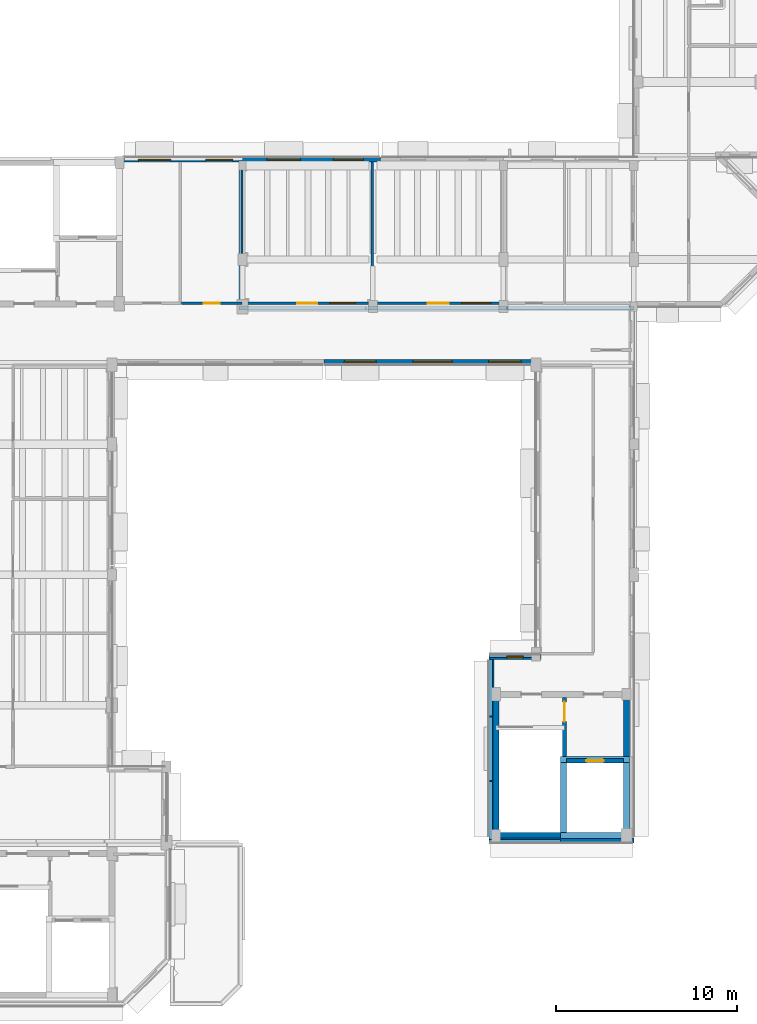
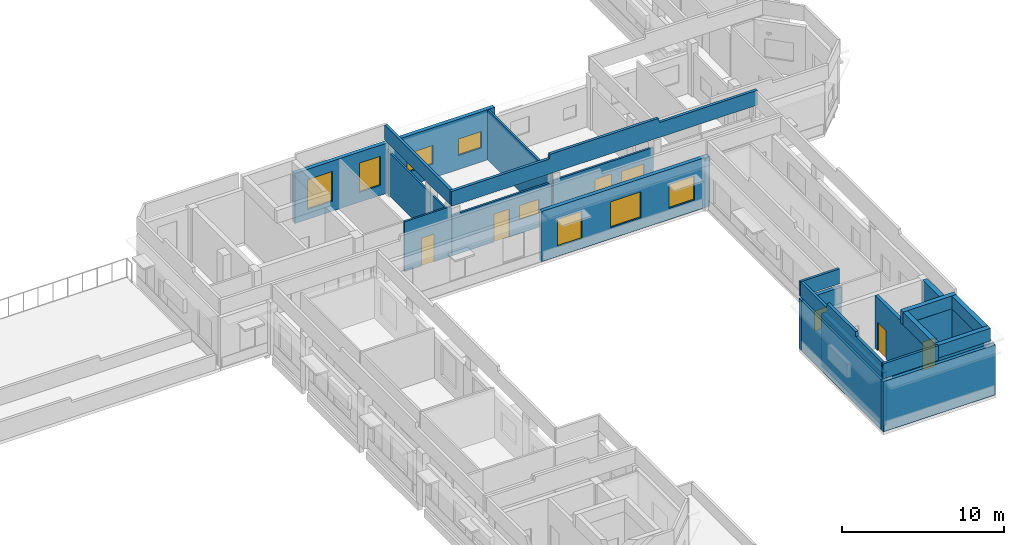
# One storey, part 9 of 17: 24 walls, 10 windows, 5 doors, 15 openings.
"""IFC4 building model written with IfcOpenShell, lengths in metres."""

from ifc_helpers import new_model, si_unit, direction, frame, frame_2d, origin, place, context, subcontext, project, spatial, polyline, rectangle, outline, extrude, material, layer, layer_set, type_object, element, fill, save


model = new_model("IFC4")

# Units and contexts
model_context = context("Model", 3, precision=1e-05, world=origin(), true_north=direction((0.0, 1.0)))
body_context = subcontext(model_context, "Body", "Model", "MODEL_VIEW")
ifc_project = project(units=[si_unit("LENGTHUNIT", "METRE"), si_unit("AREAUNIT", "SQUARE_METRE"), si_unit("VOLUMEUNIT", "CUBIC_METRE"), si_unit("PLANEANGLEUNIT", "RADIAN"), si_unit("MASSUNIT", "GRAM", prefix="KILO")], contexts=[model_context])

# Site, building, storey
site_placement = place(None, origin())
site = spatial("IfcSite", under=ifc_project, at=site_placement, CompositionType="ELEMENT")
building_placement = place(site_placement, origin())
building = spatial("IfcBuilding", under=site, at=building_placement, Name="Kelanivale Promenade Academy", CompositionType="ELEMENT")
storey_placement = place(building_placement, frame((0.0, 0.0, 20.199951171875)))
storey = spatial("IfcBuildingStorey", under=building, at=storey_placement, Name="L05", CompositionType="ELEMENT", Elevation=20.199951171875)

# Walls
ifc_material_1 = material(Name="Concrete C40/50", Category="concrete")
ifc_layer_1 = layer(ifc_material_1, 0.330078125)
ifc_layer_set_1 = layer_set([ifc_layer_1], Name="Concrete C40/50")
wall_type_1 = type_object("IfcWallType", Name="CW-S1 Wall 330mm", PredefinedType="SHEAR", material=ifc_layer_set_1)
wall_1_placement = place(storey_placement, frame((107.8349609375, 42.39990234375, 0.0), z_axis=(0.0, 0.0, 1.0), x_axis=(1.0, 0.0, 0.0)))
element("IfcWall", 1, at=wall_1_placement, inside=storey, type_object=wall_type_1, Name="CORE-3 RC shear wall S L05", PredefinedType="SHEAR", context=body_context, shape_type="SweptSolid", body=[
    extrude(rectangle(XDim=7.530029296875, YDim=0.330078125, at=frame_2d((3.76513671875, 0.0))), origin(), (0.0, 0.0, 1.0), 4.0),
])
for number, where, z_axis, x_axis, name in (
    (2, (108.0, 42.56494140625, 0.0), (0.0, 0.0, 1.0), (0.0, 1.0, 0.0), "CORE-3 RC shear wall W L05"),
    (3, (115.199951171875, 42.56494140625, 0.0), (0.0, 0.0, 1.0), (0.0, 1.0, 0.0), "CORE-3 RC shear wall E L05"),
):
    element("IfcWall", number, at=place(storey_placement, frame(where, z_axis=z_axis, x_axis=x_axis)), inside=storey, type_object=wall_type_1, Name=name, PredefinedType="SHEAR", context=body_context, shape_type="SweptSolid", body=[
        extrude(rectangle(XDim=7.469970703125, YDim=0.330078125, at=frame_2d((3.73486328125, 0.0))), origin(), (0.0, 0.0, 1.0), 4.0),
    ])
for number, where, z_axis, x_axis, name in (
    (4, (111.554931640625, 42.39990234375, 4.0), (0.0, 0.0, 1.0), (1.0, 0.0, 0.0), "CORE-3 lift overrun shaft wall S"),
    (5, (111.554931640625, 46.590087890625, 4.0), (0.0, 0.0, 1.0), (1.0, 0.0, 0.0), "CORE-3 lift overrun shaft wall N"),
):
    element("IfcWall", number, at=place(storey_placement, frame(where, z_axis=z_axis, x_axis=x_axis)), inside=storey, type_object=wall_type_1, Name=name, PredefinedType="SHEAR", context=body_context, shape_type="SweptSolid", body=[
        extrude(rectangle(XDim=3.81005859375, YDim=0.330078125, at=frame_2d((1.905029296875, 0.0))), origin(), (0.0, 0.0, 1.0), 0.9599609375),
    ])
for number, where, z_axis, x_axis, name in (
    (6, (111.719970703125, 42.56494140625, 4.0), (0.0, 0.0, 1.0), (0.0, 1.0, 0.0), "CORE-3 lift overrun shaft wall W"),
    (7, (115.199951171875, 42.56494140625, 4.0), (0.0, 0.0, 1.0), (0.0, 1.0, 0.0), "CORE-3 lift overrun shaft wall E"),
):
    element("IfcWall", number, at=place(storey_placement, frame(where, z_axis=z_axis, x_axis=x_axis)), inside=storey, type_object=wall_type_1, Name=name, PredefinedType="SHEAR", context=body_context, shape_type="SweptSolid", body=[
        extrude(rectangle(XDim=3.860107421875, YDim=0.330078125, at=frame_2d((1.93017578125, 0.0))), origin(), (0.0, 0.0, 1.0), 0.9599609375),
    ])

# Wall, opening, door
ifc_layer_2 = layer(ifc_material_1, 0.22509765625)
ifc_layer_set_2 = layer_set([ifc_layer_2], Name="Concrete C40/50")
wall_type_2 = type_object("IfcWallType", Name="CW-S2 Wall 225mm", PredefinedType="SHEAR", material=ifc_layer_set_2)
wall_2_placement = place(storey_placement, frame((111.885009765625, 46.530029296875, 0.0), z_axis=(0.0, 0.0, 1.0), x_axis=(1.0, 0.0, 0.0)))
wall_2 = element("IfcWall", 8, at=wall_2_placement, inside=storey, type_object=wall_type_2, Name="CORE-3 lift shaft front RC wall L05", PredefinedType="SHEAR", context=body_context, shape_type="SweptSolid", body=[
    extrude(rectangle(XDim=3.14990234375, YDim=0.22509765625, at=frame_2d((1.574951171875, 0.0))), origin(), (0.0, 0.0, 1.0), 4.0),
])
opening_1_placement = place(wall_2_placement, frame((1.10009765625, 0.0, 0.0)))
opening_1 = element("IfcOpeningElement", 9, at=opening_1_placement, cuts=wall_2, Name="Opening LD-LF-FF3-L05", PredefinedType="OPENING", context=body_context, shape_type="SweptSolid", body=[
    extrude(rectangle(XDim=0.949951171875, YDim=2.14990234375, at=frame_2d((0.47509765625, 1.074951171875))), frame((0.0, 0.12255859375, 0.0), z_axis=(0.0, -1.0, 0.0), x_axis=(1.0, 0.0, 0.0)), (0.0, 0.0, 1.0), 0.2451171875),
])
ifc_material_2 = material(Name="Fire-rated steel-core teak veneer", Category="steel")
door_type_1 = type_object("IfcDoorType", Name="LD-FF1 Door 950x2150", OperationType="NOTDEFINED", PredefinedType="DOOR", material=ifc_material_2)
door_1_placement = place(opening_1_placement, origin())
door_1 = element("IfcDoor", 10, at=door_1_placement, inside=storey, type_object=door_type_1, Name="Firefighting lift landing door LD-LF-FF3-L05", OperationType="SLIDING_TO_LEFT", OverallHeight=2.14990234375, OverallWidth=0.949951171875, PredefinedType="DOOR", context=body_context, shape_type="SweptSolid", body=[
    extrude(rectangle(XDim=0.949951171875, YDim=2.14990234375, at=frame_2d((0.47509765625, 1.074951171875))), frame((0.0, 0.02490234375, 0.0), z_axis=(0.0, -1.0, 0.0), x_axis=(1.0, 0.0, 0.0)), (0.0, 0.0, 1.0), 0.050048828125),
])
fill(opening_1, door_1)

ifc_layer_3 = layer(ifc_material_1, 0.219970703125)
ifc_layer_set_3 = layer_set([ifc_layer_3], Name="Concrete C40/50")
wall_type_3 = type_object("IfcWallType", Name="CW-S3 Wall 220mm", PredefinedType="SHEAR", material=ifc_layer_set_3)
wall_3_placement = place(storey_placement, frame((111.77490234375, 42.56494140625, 0.0), z_axis=(0.0, 0.0, 1.0), x_axis=(0.0, 1.0, 0.0)))
wall_3 = element("IfcWall", 11, at=wall_3_placement, inside=storey, type_object=wall_type_3, Name="CORE-3 stair-lobby dividing RC wall L05", PredefinedType="SHEAR", context=body_context, shape_type="SweptSolid", body=[
    extrude(rectangle(XDim=7.469970703125, YDim=0.219970703125, at=frame_2d((3.73486328125, 0.0))), origin(), (0.0, 0.0, 1.0), 4.0),
])
opening_2_placement = place(wall_3_placement, frame((6.1201171875, 0.0, 0.0)))
opening_2 = element("IfcOpeningElement", 12, at=opening_2_placement, cuts=wall_3, Name="Opening FD-CORE-3-SL-L05", PredefinedType="OPENING", context=body_context, shape_type="SweptSolid", body=[
    extrude(rectangle(XDim=1.10009765625, YDim=2.14990234375, at=frame_2d((0.550048828125, 1.074951171875))), frame((0.0, 0.1201171875, 0.0), z_axis=(0.0, -1.0, 0.0), x_axis=(1.0, 0.0, 0.0)), (0.0, 0.0, 1.0), 0.239990234375),
])
door_type_2 = type_object("IfcDoorType", Name="DT-F01 Door 1100x2150", OperationType="NOTDEFINED", PredefinedType="DOOR", material=ifc_material_2)
door_2_placement = place(opening_2_placement, origin())
door_2 = element("IfcDoor", 13, at=door_2_placement, inside=storey, type_object=door_type_2, Name="CORE-3 lobby-to-stair fire door L05", OperationType="SINGLE_SWING_RIGHT", OverallHeight=2.14990234375, OverallWidth=1.10009765625, PredefinedType="DOOR", context=body_context, shape_type="SweptSolid", body=[
    extrude(rectangle(XDim=1.10009765625, YDim=2.14990234375, at=frame_2d((0.550048828125, 1.074951171875))), frame((0.0, 0.02490234375, 0.0), z_axis=(0.0, -1.0, 0.0), x_axis=(1.0, 0.0, 0.0)), (0.0, 0.0, 1.0), 0.050048828125),
])
fill(opening_2, door_2)

# Wall, openings, windows
ifc_material_3 = material(Name="Insulated ivory stucco masonry wall 280 mm", Category="masonry")
ifc_layer_4 = layer(ifc_material_3, 0.280029296875)
ifc_layer_set_4 = layer_set([ifc_layer_4], Name="Insulated ivory stucco masonry wall 280 mm")
wall_type_4 = type_object("IfcWallType", Name="EW-02 Wall 280mm", PredefinedType="SOLIDWALL", material=ifc_layer_set_4)
wall_4_placement = place(storey_placement, frame((98.5, 68.5400390625, 0.0), z_axis=(0.0, 0.0, 1.0), x_axis=(1.0, 0.0, 0.0)))
wall_4 = element("IfcWall", 14, at=wall_4_placement, inside=storey, type_object=wall_type_4, Name="L05 exterior facade wall EW-L05-ORT-0562", PredefinedType="SOLIDWALL", context=body_context, shape_type="SweptSolid", body=[
    extrude(rectangle(XDim=11.97998046875, YDim=0.280029296875, at=frame_2d((5.989990234375, 0.0))), origin(), (0.0, 0.0, 1.0), 3.780029296875),
])
opening_3_placement = place(wall_4_placement, frame((1.1220703125, 0.0, 0.75)))
opening_3 = element("IfcOpeningElement", 15, at=opening_3_placement, cuts=wall_4, Name="Opening WT-32", PredefinedType="OPENING", context=body_context, shape_type="SweptSolid", body=[
    extrude(rectangle(XDim=1.75, YDim=2.050048828125, at=frame_2d((0.875, 1.02490234375))), frame((0.0, 0.14990234375, 0.0), z_axis=(0.0, -1.0, 0.0), x_axis=(1.0, 0.0, 0.0)), (0.0, 0.0, 1.0), 0.300048828125),
])
opening_4_placement = place(wall_4_placement, frame((4.9150390625, 0.0, 0.85009765625)))
opening_4 = element("IfcOpeningElement", 16, at=opening_4_placement, cuts=wall_4, Name="Opening WT-33", PredefinedType="OPENING", context=body_context, shape_type="SweptSolid", body=[
    extrude(rectangle(XDim=2.14990234375, YDim=1.949951171875, at=frame_2d((1.074951171875, 0.97509765625))), frame((0.0, 0.14990234375, 0.0), z_axis=(0.0, -1.0, 0.0), x_axis=(1.0, 0.0, 0.0)), (0.0, 0.0, 1.0), 0.300048828125),
])
opening_5_placement = place(wall_4_placement, frame((9.0830078125, 0.0, 0.85009765625)))
opening_5 = element("IfcOpeningElement", 17, at=opening_5_placement, cuts=wall_4, Name="Opening WT-01", PredefinedType="OPENING", context=body_context, shape_type="SweptSolid", body=[
    extrude(rectangle(XDim=1.800048828125, YDim=1.800048828125, at=frame_2d((0.89990234375, 0.89990234375))), frame((0.0, 0.14990234375, 0.0), z_axis=(0.0, -1.0, 0.0), x_axis=(1.0, 0.0, 0.0)), (0.0, 0.0, 1.0), 0.300048828125),
])
ifc_material_4 = material(Name="Bronze anodised aluminium frame with low-E laminated glass", Category="aluminium")
window_type_1 = type_object("IfcWindowType", Name="WT-01 Window 1800x1800", PartitioningType="SINGLE_PANEL", PredefinedType="WINDOW", material=ifc_material_4)
window_1_placement = place(opening_5_placement, origin())
window_1 = element("IfcWindow", 18, at=window_1_placement, inside=storey, type_object=window_type_1, Name="Window WT-01", OverallHeight=1.800048828125, OverallWidth=1.800048828125, PartitioningType="SINGLE_PANEL", PredefinedType="WINDOW", context=body_context, shape_type="SweptSolid", body=[
    extrude(rectangle(XDim=1.800048828125, YDim=1.800048828125, at=frame_2d((0.89990234375, 0.89990234375))), frame((0.0, 0.030029296875, 0.0), z_axis=(0.0, -1.0, 0.0), x_axis=(1.0, 0.0, 0.0)), (0.0, 0.0, 1.0), 0.06005859375),
])
fill(opening_5, window_1)
window_type_2 = type_object("IfcWindowType", Name="WT-32 Window 1750x2050", PartitioningType="SINGLE_PANEL", PredefinedType="WINDOW", material=ifc_material_4)
window_2_placement = place(opening_3_placement, origin())
window_2 = element("IfcWindow", 19, at=window_2_placement, inside=storey, type_object=window_type_2, Name="Window WT-32", OverallHeight=2.050048828125, OverallWidth=1.75, PartitioningType="SINGLE_PANEL", PredefinedType="WINDOW", context=body_context, shape_type="SweptSolid", body=[
    extrude(rectangle(XDim=1.75, YDim=2.050048828125, at=frame_2d((0.875, 1.02490234375))), frame((0.0, 0.030029296875, 0.0), z_axis=(0.0, -1.0, 0.0), x_axis=(1.0, 0.0, 0.0)), (0.0, 0.0, 1.0), 0.06005859375),
])
fill(opening_3, window_2)
window_type_3 = type_object("IfcWindowType", Name="WT-33 Window 2150x1950", PartitioningType="SINGLE_PANEL", PredefinedType="WINDOW", material=ifc_material_4)
window_3_placement = place(opening_4_placement, origin())
window_3 = element("IfcWindow", 20, at=window_3_placement, inside=storey, type_object=window_type_3, Name="Window WT-33", OverallHeight=1.949951171875, OverallWidth=2.14990234375, PartitioningType="SINGLE_PANEL", PredefinedType="WINDOW", context=body_context, shape_type="SweptSolid", body=[
    extrude(rectangle(XDim=2.14990234375, YDim=1.949951171875, at=frame_2d((1.074951171875, 0.97509765625))), frame((0.0, 0.030029296875, 0.0), z_axis=(0.0, -1.0, 0.0), x_axis=(1.0, 0.0, 0.0)), (0.0, 0.0, 1.0), 0.06005859375),
])
fill(opening_4, window_3)

# Wall, opening, window
wall_5_placement = place(storey_placement, frame((110.47998046875, 52.260009765625, 0.0), z_axis=(0.0, 0.0, 1.0), x_axis=(-1.0, 0.0, 0.0)))
wall_5 = element("IfcWall", 21, at=wall_5_placement, inside=storey, type_object=wall_type_4, Name="L05 exterior facade wall EW-L05-ORT-0564", PredefinedType="SOLIDWALL", context=body_context, shape_type="SweptSolid", body=[
    extrude(rectangle(XDim=2.8798828125, YDim=0.280029296875, at=frame_2d((1.43994140625, 0.0))), origin(), (0.0, 0.0, 1.0), 3.780029296875),
])
opening_6_placement = place(wall_5_placement, frame((0.989990234375, 0.0, 1.050048828125)))
opening_6 = element("IfcOpeningElement", 22, at=opening_6_placement, cuts=wall_5, Name="Opening WT-06", PredefinedType="OPENING", context=body_context, shape_type="SweptSolid", body=[
    extrude(rectangle(XDim=0.89990234375, YDim=1.5, at=frame_2d((0.449951171875, 0.75))), frame((0.0, 0.14990234375, 0.0), z_axis=(0.0, -1.0, 0.0), x_axis=(1.0, 0.0, 0.0)), (0.0, 0.0, 1.0), 0.300048828125),
])
window_type_4 = type_object("IfcWindowType", Name="WT-06 Window 900x1500", PartitioningType="SINGLE_PANEL", PredefinedType="WINDOW", material=ifc_material_4)
window_4_placement = place(opening_6_placement, origin())
window_4 = element("IfcWindow", 23, at=window_4_placement, inside=storey, type_object=window_type_4, Name="Window WT-06", OverallHeight=1.5, OverallWidth=0.89990234375, PartitioningType="SINGLE_PANEL", PredefinedType="WINDOW", context=body_context, shape_type="SweptSolid", body=[
    extrude(rectangle(XDim=0.89990234375, YDim=1.5, at=frame_2d((0.449951171875, 0.75))), frame((0.0, 0.030029296875, 0.0), z_axis=(0.0, -1.0, 0.0), x_axis=(1.0, 0.0, 0.0)), (0.0, 0.0, 1.0), 0.06005859375),
])
fill(opening_6, window_4)

# Walls
wall_6_placement = place(storey_placement, frame((107.739990234375, 52.1201171875, 0.0), z_axis=(0.0, 0.0, 1.0), x_axis=(0.0, -1.0, 0.0)))
element("IfcWall", 24, at=wall_6_placement, inside=storey, type_object=wall_type_4, Name="L05 exterior facade wall EW-L05-ORT-0565", PredefinedType="SOLIDWALL", context=body_context, shape_type="SweptSolid", body=[
    extrude(rectangle(XDim=9.840087890625, YDim=0.280029296875, at=frame_2d((4.919921875, 0.0))), origin(), (0.0, 0.0, 1.0), 3.780029296875),
])
wall_7_placement = place(storey_placement, frame((107.60009765625, 42.139892578125, 0.0), z_axis=(0.0, 0.0, 1.0), x_axis=(1.0, 0.0, 0.0)))
element("IfcWall", 25, at=wall_7_placement, inside=storey, type_object=wall_type_4, Name="L05 exterior facade wall EW-L05-ORT-0566", PredefinedType="SOLIDWALL", context=body_context, shape_type="SweptSolid", body=[
    extrude(rectangle(XDim=8.0, YDim=0.280029296875, at=frame_2d((4.0, 0.0))), origin(), (0.0, 0.0, 1.0), 3.780029296875),
])

# Wall, openings, windows
wall_8_placement = place(storey_placement, frame((101.623046875, 79.7099609375, 0.0), z_axis=(0.0, 0.0, 1.0), x_axis=(-1.0, 0.0, 0.0)))
wall_8 = element("IfcWall", 26, at=wall_8_placement, inside=storey, type_object=wall_type_4, Name="L05 exterior facade wall EW-L05-ORT-0585", PredefinedType="SOLIDWALL", context=body_context, shape_type="SweptSolid", body=[
    extrude(rectangle(XDim=14.258056640625, YDim=0.280029296875, at=frame_2d((7.12890625, 0.0))), origin(), (0.0, 0.0, 1.0), 3.780029296875),
])
opening_7_placement = place(wall_8_placement, frame((0.95703125, 0.0, 1.050048828125)))
opening_7 = element("IfcOpeningElement", 27, at=opening_7_placement, cuts=wall_8, Name="Opening WT-35", PredefinedType="OPENING", context=body_context, shape_type="SweptSolid", body=[
    extrude(rectangle(XDim=1.64990234375, YDim=1.25, at=frame_2d((0.824951171875, 0.625))), frame((0.0, 0.14990234375, 0.0), z_axis=(0.0, -1.0, 0.0), x_axis=(1.0, 0.0, 0.0)), (0.0, 0.0, 1.0), 0.300048828125),
])
opening_8_placement = place(wall_8_placement, frame((4.422119140625, 0.0, 1.050048828125)))
opening_8 = element("IfcOpeningElement", 28, at=opening_8_placement, cuts=wall_8, Name="Opening WT-36", PredefinedType="OPENING", context=body_context, shape_type="SweptSolid", body=[
    extrude(rectangle(XDim=1.85009765625, YDim=1.39990234375, at=frame_2d((0.925048828125, 0.699951171875))), frame((0.0, 0.14990234375, 0.0), z_axis=(0.0, -1.0, 0.0), x_axis=(1.0, 0.0, 0.0)), (0.0, 0.0, 1.0), 0.300048828125),
])
opening_9_placement = place(wall_8_placement, frame((8.160888671875, 0.0, 0.75)))
opening_9 = element("IfcOpeningElement", 29, at=opening_9_placement, cuts=wall_8, Name="Opening WT-11", PredefinedType="OPENING", context=body_context, shape_type="SweptSolid", body=[
    extrude(rectangle(XDim=1.5, YDim=2.199951171875, at=frame_2d((0.75, 1.10009765625))), frame((0.0, 0.14990234375, 0.0), z_axis=(0.0, -1.0, 0.0), x_axis=(1.0, 0.0, 0.0)), (0.0, 0.0, 1.0), 0.300048828125),
])
opening_10_placement = place(wall_8_placement, frame((11.575927734375, 0.0, 0.75)))
opening_10 = element("IfcOpeningElement", 30, at=opening_10_placement, cuts=wall_8, Name="Opening WT-12", PredefinedType="OPENING", context=body_context, shape_type="SweptSolid", body=[
    extrude(rectangle(XDim=1.800048828125, YDim=2.25, at=frame_2d((0.89990234375, 1.125))), frame((0.0, 0.14990234375, 0.0), z_axis=(0.0, -1.0, 0.0), x_axis=(1.0, 0.0, 0.0)), (0.0, 0.0, 1.0), 0.300048828125),
])
window_type_5 = type_object("IfcWindowType", Name="WT-11 Window 1500x2200", PartitioningType="SINGLE_PANEL", PredefinedType="WINDOW", material=ifc_material_4)
window_5_placement = place(opening_9_placement, origin())
window_5 = element("IfcWindow", 31, at=window_5_placement, inside=storey, type_object=window_type_5, Name="Window WT-11", OverallHeight=2.199951171875, OverallWidth=1.5, PartitioningType="SINGLE_PANEL", PredefinedType="WINDOW", context=body_context, shape_type="SweptSolid", body=[
    extrude(rectangle(XDim=1.5, YDim=2.199951171875, at=frame_2d((0.75, 1.10009765625))), frame((0.0, 0.030029296875, 0.0), z_axis=(0.0, -1.0, 0.0), x_axis=(1.0, 0.0, 0.0)), (0.0, 0.0, 1.0), 0.06005859375),
])
fill(opening_9, window_5)
window_type_6 = type_object("IfcWindowType", Name="WT-12 Window 1800x2250", PartitioningType="SINGLE_PANEL", PredefinedType="WINDOW", material=ifc_material_4)
window_6_placement = place(opening_10_placement, origin())
window_6 = element("IfcWindow", 32, at=window_6_placement, inside=storey, type_object=window_type_6, Name="Window WT-12", OverallHeight=2.25, OverallWidth=1.800048828125, PartitioningType="SINGLE_PANEL", PredefinedType="WINDOW", context=body_context, shape_type="SweptSolid", body=[
    extrude(rectangle(XDim=1.800048828125, YDim=2.25, at=frame_2d((0.89990234375, 1.125))), frame((0.0, 0.030029296875, 0.0), z_axis=(0.0, -1.0, 0.0), x_axis=(1.0, 0.0, 0.0)), (0.0, 0.0, 1.0), 0.06005859375),
])
fill(opening_10, window_6)
window_type_7 = type_object("IfcWindowType", Name="WT-35 Window 1650x1250", PartitioningType="SINGLE_PANEL", PredefinedType="WINDOW", material=ifc_material_4)
window_7_placement = place(opening_7_placement, origin())
window_7 = element("IfcWindow", 33, at=window_7_placement, inside=storey, type_object=window_type_7, Name="Window WT-35", OverallHeight=1.25, OverallWidth=1.64990234375, PartitioningType="SINGLE_PANEL", PredefinedType="WINDOW", context=body_context, shape_type="SweptSolid", body=[
    extrude(rectangle(XDim=1.64990234375, YDim=1.25, at=frame_2d((0.824951171875, 0.625))), frame((0.0, 0.030029296875, 0.0), z_axis=(0.0, -1.0, 0.0), x_axis=(1.0, 0.0, 0.0)), (0.0, 0.0, 1.0), 0.06005859375),
])
fill(opening_7, window_7)
window_type_8 = type_object("IfcWindowType", Name="WT-36 Window 1850x1400", PartitioningType="SINGLE_PANEL", PredefinedType="WINDOW", material=ifc_material_4)
window_8_placement = place(opening_8_placement, origin())
window_8 = element("IfcWindow", 34, at=window_8_placement, inside=storey, type_object=window_type_8, Name="Window WT-36", OverallHeight=1.39990234375, OverallWidth=1.85009765625, PartitioningType="SINGLE_PANEL", PredefinedType="WINDOW", context=body_context, shape_type="SweptSolid", body=[
    extrude(rectangle(XDim=1.85009765625, YDim=1.39990234375, at=frame_2d((0.925048828125, 0.699951171875))), frame((0.0, 0.030029296875, 0.0), z_axis=(0.0, -1.0, 0.0), x_axis=(1.0, 0.0, 0.0)), (0.0, 0.0, 1.0), 0.06005859375),
])
fill(opening_8, window_8)

# Wall
ifc_material_5 = material(Name="Acoustic double-stud gypsum board partition 140 mm", Category="masonry")
ifc_layer_5 = layer(ifc_material_5, 0.139892578125)
ifc_layer_set_5 = layer_set([ifc_layer_5], Name="Acoustic double-stud gypsum board partition 140 mm")
wall_type_5 = type_object("IfcWallType", Name="IW-04 Wall 140mm", PredefinedType="PARTITIONING", material=ifc_layer_set_5)
wall_9_placement = place(storey_placement, frame((101.169921875, 71.780029296875, 0.0), z_axis=(0.0, 0.0, 1.0), x_axis=(0.0, 1.0, 0.0)))
element("IfcWall", 35, at=wall_9_placement, inside=storey, type_object=wall_type_5, Name="L05 partition Sixth Form Classroom East", PredefinedType="PARTITIONING", context=body_context, shape_type="SweptSolid", body=[
    extrude(rectangle(XDim=7.7919921875, YDim=0.139892578125, at=frame_2d((3.89599609375, 0.0))), origin(), (0.0, 0.0, 1.0), 3.75),
])

# Wall, openings, door, window
wall_10_placement = place(storey_placement, frame((94.030029296875, 71.780029296875, 0.0), z_axis=(0.0, 0.0, 1.0), x_axis=(1.0, 0.0, 0.0)))
wall_10 = element("IfcWall", 36, at=wall_10_placement, inside=storey, type_object=wall_type_5, Name="L05 partition Sixth Form Classroom East", PredefinedType="PARTITIONING", context=body_context, shape_type="SweptSolid", body=[
    extrude(rectangle(XDim=7.072021484375, YDim=0.139892578125, at=frame_2d((3.5361328125, 0.0))), origin(), (0.0, 0.0, 1.0), 3.054931640625),
])
opening_11_placement = place(wall_10_placement, frame((2.986083984375, 0.0, 0.0)))
opening_11 = element("IfcOpeningElement", 37, at=opening_11_placement, cuts=wall_10, Name="Opening ID-L05-205", PredefinedType="OPENING", context=body_context, shape_type="SweptSolid", body=[
    extrude(rectangle(XDim=1.10009765625, YDim=2.10009765625, at=frame_2d((0.550048828125, 1.050048828125))), frame((0.0, 0.080078125, 0.0), z_axis=(0.0, -1.0, 0.0), x_axis=(1.0, 0.0, 0.0)), (0.0, 0.0, 1.0), 0.159912109375),
])
opening_12_placement = place(wall_10_placement, frame((4.785888671875, 0.0, 1.050048828125)))
opening_12 = element("IfcOpeningElement", 38, at=opening_12_placement, cuts=wall_10, Name="Opening WT-I03", PredefinedType="OPENING", context=body_context, shape_type="SweptSolid", body=[
    extrude(rectangle(XDim=1.39990234375, YDim=1.050048828125, at=frame_2d((0.699951171875, 0.52490234375))), frame((0.0, 0.080078125, 0.0), z_axis=(0.0, -1.0, 0.0), x_axis=(1.0, 0.0, 0.0)), (0.0, 0.0, 1.0), 0.159912109375),
])
ifc_material_6 = material(Name="Solid-core tropical teak timber", Category="wood")
door_type_3 = type_object("IfcDoorType", Name="DT-I03 Door 1100x2100", OperationType="NOTDEFINED", PredefinedType="DOOR", material=ifc_material_6)
door_3_placement = place(opening_11_placement, origin())
door_3 = element("IfcDoor", 39, at=door_3_placement, inside=storey, type_object=door_type_3, Name="Sixth Form Classroom East door ID-L05-205", OperationType="SINGLE_SWING_RIGHT", OverallHeight=2.10009765625, OverallWidth=1.10009765625, PredefinedType="DOOR", context=body_context, shape_type="SweptSolid", body=[
    extrude(rectangle(XDim=1.10009765625, YDim=2.10009765625, at=frame_2d((0.550048828125, 1.050048828125))), frame((0.0, 0.02490234375, 0.0), z_axis=(0.0, -1.0, 0.0), x_axis=(1.0, 0.0, 0.0)), (0.0, 0.0, 1.0), 0.050048828125),
])
fill(opening_11, door_3)
window_type_9 = type_object("IfcWindowType", Name="WT-I03 Window 1400x1050", PartitioningType="SINGLE_PANEL", PredefinedType="WINDOW", material=ifc_material_4)
window_9_placement = place(opening_12_placement, origin())
window_9 = element("IfcWindow", 40, at=window_9_placement, inside=storey, type_object=window_type_9, Name="Interior observation window WT-I03", OverallHeight=1.050048828125, OverallWidth=1.39990234375, PartitioningType="SINGLE_PANEL", PredefinedType="WINDOW", context=body_context, shape_type="SweptSolid", body=[
    extrude(rectangle(XDim=1.39990234375, YDim=1.050048828125, at=frame_2d((0.699951171875, 0.52490234375))), frame((0.0, 0.030029296875, 0.0), z_axis=(0.0, -1.0, 0.0), x_axis=(1.0, 0.0, 0.0)), (0.0, 0.0, 1.0), 0.06005859375),
])
fill(opening_12, window_9)

wall_11_placement = place(storey_placement, frame((101.238037109375, 71.780029296875, 0.0), z_axis=(0.0, 0.0, 1.0), x_axis=(1.0, 0.0, 0.0)))
wall_11 = element("IfcWall", 41, at=wall_11_placement, inside=storey, type_object=wall_type_5, Name="L05 partition University Guidance Seminar Room", PredefinedType="PARTITIONING", context=body_context, shape_type="SweptSolid", body=[
    extrude(rectangle(XDim=7.132080078125, YDim=0.139892578125, at=frame_2d((3.56591796875, 0.0))), origin(), (0.0, 0.0, 1.0), 3.155029296875),
])
opening_13_placement = place(wall_11_placement, frame((2.97607421875, 0.0, 0.0)))
opening_13 = element("IfcOpeningElement", 42, at=opening_13_placement, cuts=wall_11, Name="Opening ID-L05-206", PredefinedType="OPENING", context=body_context, shape_type="SweptSolid", body=[
    extrude(rectangle(XDim=1.179931640625, YDim=2.199951171875, at=frame_2d((0.58984375, 1.10009765625))), frame((0.0, 0.080078125, 0.0), z_axis=(0.0, -1.0, 0.0), x_axis=(1.0, 0.0, 0.0)), (0.0, 0.0, 1.0), 0.159912109375),
])
opening_14_placement = place(wall_11_placement, frame((4.85595703125, 0.0, 1.050048828125)))
opening_14 = element("IfcOpeningElement", 43, at=opening_14_placement, cuts=wall_11, Name="Opening WT-I01", PredefinedType="OPENING", context=body_context, shape_type="SweptSolid", body=[
    extrude(rectangle(XDim=1.60009765625, YDim=1.10009765625, at=frame_2d((0.800048828125, 0.550048828125))), frame((0.0, 0.080078125, 0.0), z_axis=(0.0, -1.0, 0.0), x_axis=(1.0, 0.0, 0.0)), (0.0, 0.0, 1.0), 0.159912109375),
])
door_type_4 = type_object("IfcDoorType", Name="DT-I18 Door 1180x2200", OperationType="NOTDEFINED", PredefinedType="DOOR", material=ifc_material_6)
door_4_placement = place(opening_13_placement, origin())
door_4 = element("IfcDoor", 44, at=door_4_placement, inside=storey, type_object=door_type_4, Name="University Guidance Seminar Room door ID-L05-206", OperationType="SINGLE_SWING_LEFT", OverallHeight=2.199951171875, OverallWidth=1.179931640625, PredefinedType="DOOR", context=body_context, shape_type="SweptSolid", body=[
    extrude(rectangle(XDim=1.179931640625, YDim=2.199951171875, at=frame_2d((0.58984375, 1.10009765625))), frame((0.0, 0.02490234375, 0.0), z_axis=(0.0, -1.0, 0.0), x_axis=(1.0, 0.0, 0.0)), (0.0, 0.0, 1.0), 0.050048828125),
])
fill(opening_13, door_4)
window_type_10 = type_object("IfcWindowType", Name="WT-I01 Window 1600x1100", PartitioningType="SINGLE_PANEL", PredefinedType="WINDOW", material=ifc_material_4)
window_10_placement = place(opening_14_placement, origin())
window_10 = element("IfcWindow", 45, at=window_10_placement, inside=storey, type_object=window_type_10, Name="Interior observation window WT-I01", OverallHeight=1.10009765625, OverallWidth=1.60009765625, PartitioningType="SINGLE_PANEL", PredefinedType="WINDOW", context=body_context, shape_type="SweptSolid", body=[
    extrude(rectangle(XDim=1.60009765625, YDim=1.10009765625, at=frame_2d((0.800048828125, 0.550048828125))), frame((0.0, 0.030029296875, 0.0), z_axis=(0.0, -1.0, 0.0), x_axis=(1.0, 0.0, 0.0)), (0.0, 0.0, 1.0), 0.06005859375),
])
fill(opening_14, window_10)

# Wall, opening, door
ifc_material_7 = material(Name="Moisture-resistant masonry wet-room partition 125 mm", Category="masonry")
ifc_layer_6 = layer(ifc_material_7, 0.125)
ifc_layer_set_6 = layer_set([ifc_layer_6], Name="Moisture-resistant masonry wet-room partition 125 mm")
wall_type_6 = type_object("IfcWallType", Name="IW-05 Wall 125mm", PredefinedType="PARTITIONING", material=ifc_layer_set_6)
wall_12_placement = place(storey_placement, frame((90.6298828125, 71.780029296875, 0.0), z_axis=(0.0, 0.0, 1.0), x_axis=(1.0, 0.0, 0.0)))
wall_12 = element("IfcWall", 46, at=wall_12_placement, inside=storey, type_object=wall_type_6, Name="L05 partition Boys Washroom", PredefinedType="PARTITIONING", context=body_context, shape_type="SweptSolid", body=[
    extrude(rectangle(XDim=3.340087890625, YDim=0.125, at=frame_2d((1.669921875, 0.0))), origin(), (0.0, 0.0, 1.0), 3.755126953125),
])
opening_15_placement = place(wall_12_placement, frame((1.219970703125, 0.0, 0.0)))
opening_15 = element("IfcOpeningElement", 47, at=opening_15_placement, cuts=wall_12, Name="Opening ID-L05-204", PredefinedType="OPENING", context=body_context, shape_type="SweptSolid", body=[
    extrude(rectangle(XDim=0.89990234375, YDim=2.10009765625, at=frame_2d((0.449951171875, 1.050048828125))), frame((0.0, 0.072509765625, 0.0), z_axis=(0.0, -1.0, 0.0), x_axis=(1.0, 0.0, 0.0)), (0.0, 0.0, 1.0), 0.14501953125),
])
door_type_5 = type_object("IfcDoorType", Name="DT-I06 Door 900x2100", OperationType="NOTDEFINED", PredefinedType="DOOR", material=ifc_material_6)
door_5_placement = place(opening_15_placement, origin())
door_5 = element("IfcDoor", 48, at=door_5_placement, inside=storey, type_object=door_type_5, Name="Boys Washroom door ID-L05-204", OperationType="SINGLE_SWING_LEFT", OverallHeight=2.10009765625, OverallWidth=0.89990234375, PredefinedType="DOOR", context=body_context, shape_type="SweptSolid", body=[
    extrude(rectangle(XDim=0.89990234375, YDim=2.10009765625, at=frame_2d((0.449951171875, 1.050048828125))), frame((0.0, 0.02490234375, 0.0), z_axis=(0.0, -1.0, 0.0), x_axis=(1.0, 0.0, 0.0)), (0.0, 0.0, 1.0), 0.050048828125),
])
fill(opening_15, door_5)

# Walls
wall_13_placement = place(storey_placement, frame((93.969970703125, 71.841064453125, 0.0), z_axis=(0.0, 0.0, 1.0), x_axis=(0.0, 1.0, 0.0)))
element("IfcWall", 49, at=wall_13_placement, inside=storey, type_object=wall_type_6, Name="L05 partition Boys Washroom", PredefinedType="PARTITIONING", context=body_context, shape_type="SweptSolid", body=[
    extrude(rectangle(XDim=7.73095703125, YDim=0.125, at=frame_2d((3.865478515625, 0.0))), origin(), (0.0, 0.0, 1.0), 3.255126953125),
])
ifc_material_8 = material(Name="Precast concrete C40/50", Category="concrete")
ifc_layer_7 = layer(ifc_material_8, 0.195068359375)
ifc_layer_set_7 = layer_set([ifc_layer_7], Name="Precast concrete C40/50")
wall_type_7 = type_object("IfcWallType", Name="PW-01 Wall 195mm", PredefinedType="PARAPET", material=ifc_layer_set_7)
wall_14_placement = place(storey_placement, frame((107.697998046875, 52.205078125, 4.0), z_axis=(0.0, 0.0, 1.0), x_axis=(0.0, -1.0, 0.0)))
element("IfcWall", 50, at=wall_14_placement, inside=storey, type_object=wall_type_7, Name="RF stepped Art Deco roof parapet", PredefinedType="PARAPET", context=body_context, shape_type="SweptSolid", body=[
    extrude(outline(polyline([(0.0, 0.0), (10.010009765625, 0.0), (10.010009765625, 1.1201171875), (6.806884765625, 1.1201171875), (6.757080078125, 1.4599609375), (3.2529296875, 1.4599609375), (3.202880859375, 1.1201171875), (0.0, 1.1201171875), (0.0, 0.0)])), frame((0.0, 0.09765625, 0.0), z_axis=(0.0, -1.0, 0.0), x_axis=(1.0, 0.0, 0.0)), (0.0, 0.0, 1.0), 0.195068359375),
])
wall_15_placement = place(storey_placement, frame((115.59912109375, 71.501953125, 4.0), z_axis=(0.0, 0.0, 1.0), x_axis=(-1.0, 0.0, 0.0)))
element("IfcWall", 51, at=wall_15_placement, inside=storey, type_object=wall_type_7, Name="RF stepped Art Deco roof parapet", PredefinedType="PARAPET", context=body_context, shape_type="SweptSolid", body=[
    extrude(outline(polyline([(0.0, 0.0), (21.794189453125, 0.0), (21.7939453125, 1.1201171875), (14.820068359375, 1.1201171875), (14.77001953125, 1.4599609375), (7.02392578125, 1.4599609375), (6.97412109375, 1.1201171875), (0.0, 1.1201171875), (0.0, 0.0)])), frame((0.0, 0.09765625, 0.0), z_axis=(0.0, -1.0, 0.0), x_axis=(1.0, 0.0, 0.0)), (0.0, 0.0, 1.0), 0.195068359375),
])
wall_16_placement = place(storey_placement, frame((93.902099609375, 71.59912109375, 4.0), z_axis=(0.0, 0.0, 1.0), x_axis=(0.0, 1.0, 0.0)))
element("IfcWall", 52, at=wall_16_placement, inside=storey, type_object=wall_type_7, Name="RF stepped Art Deco roof parapet", PredefinedType="PARAPET", context=body_context, shape_type="SweptSolid", body=[
    extrude(rectangle(XDim=8.054931640625, YDim=0.195068359375, at=frame_2d((4.02734375, 0.0))), origin(), (0.0, 0.0, 1.0), 1.1201171875),
])
ifc_layer_8 = layer(ifc_material_8, 0.1650390625)
ifc_layer_set_8 = layer_set([ifc_layer_8], Name="Precast concrete C40/50")
wall_type_8 = type_object("IfcWallType", Name="PW-02 Wall 165mm", PredefinedType="PARAPET", material=ifc_layer_set_8)
wall_17_placement = place(storey_placement, frame((110.39501953125, 52.302001953125, 4.0), z_axis=(0.0, 0.0, 1.0), x_axis=(-1.0, 0.0, 0.0)))
element("IfcWall", 53, at=wall_17_placement, inside=storey, type_object=wall_type_8, Name="RF stepped Art Deco roof parapet", PredefinedType="PARAPET", context=body_context, shape_type="SweptSolid", body=[
    extrude(rectangle(XDim=2.794921875, YDim=0.1650390625, at=frame_2d((1.3974609375, 0.0))), origin(), (0.0, 0.0, 1.0), 1.1201171875),
])
wall_18_placement = place(storey_placement, frame((107.60009765625, 42.097900390625, 4.0), z_axis=(0.0, 0.0, 1.0), x_axis=(1.0, 0.0, 0.0)))
element("IfcWall", 54, at=wall_18_placement, inside=storey, type_object=wall_type_8, Name="RF stepped Art Deco roof parapet", PredefinedType="PARAPET", context=body_context, shape_type="SweptSolid", body=[
    extrude(rectangle(XDim=3.954833984375, YDim=0.1650390625, at=frame_2d((1.9775390625, 0.0))), origin(), (0.0, 0.0, 1.0), 1.1201171875),
])

save(model, "model.ifc")
